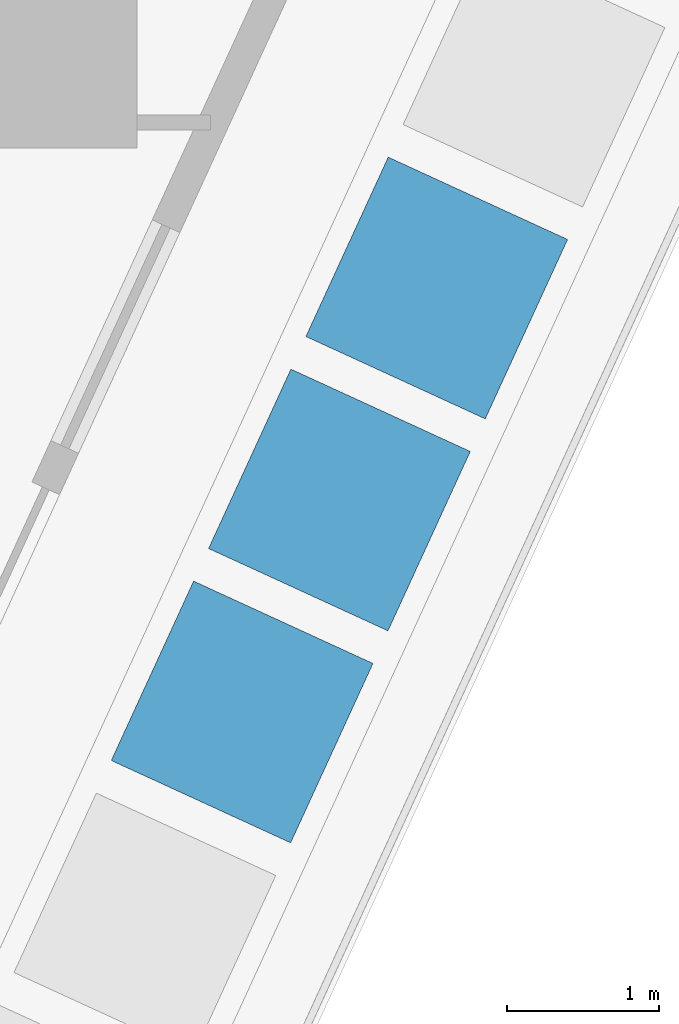
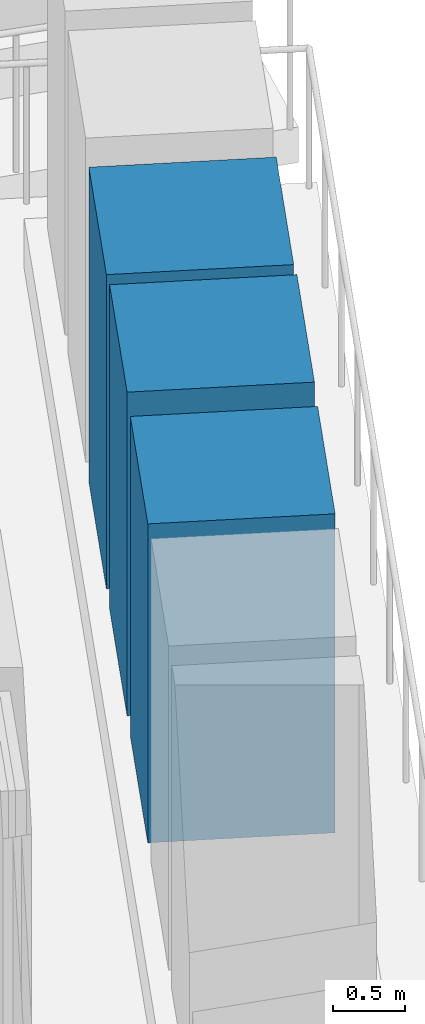
# One storey, part 5 of 26: 3 members.
"""IFC4 building model written with IfcOpenShell, lengths in metres."""

from ifc_helpers import new_model, si_unit, direction, frame, origin, origin_2d, place, context, subcontext, project, spatial, rectangle, extrude, material, material_profile, profile_set, type_object, element, save


model = new_model("IFC4")

# Units and contexts
model_context = context("Model", 3, precision=1e-05, world=origin(), true_north=direction((0.0, 1.0)))
body_context = subcontext(model_context, "Body", "Model", "MODEL_VIEW")
ifc_project = project(units=[si_unit("LENGTHUNIT", "METRE"), si_unit("AREAUNIT", "SQUARE_METRE"), si_unit("VOLUMEUNIT", "CUBIC_METRE"), si_unit("PLANEANGLEUNIT", "RADIAN"), si_unit("MASSUNIT", "GRAM", prefix="KILO")], contexts=[model_context])

# Site, building, storey
site_placement = place(None, origin())
site = spatial("IfcSite", under=ifc_project, at=site_placement, CompositionType="ELEMENT")
building_placement = place(site_placement, origin())
building = spatial("IfcBuilding", under=site, at=building_placement, Name="Dongbaek Canopy Tower", CompositionType="ELEMENT")
storey_placement = place(building_placement, frame((0.0, 0.0, 95.199951171875)))
storey = spatial("IfcBuildingStorey", under=building, at=storey_placement, Name="L19", CompositionType="ELEMENT", Elevation=95.199951171875)

# Members
ifc_material = material(Name="Concrete C40/50 planter mass with planting", Category="concrete")
ifc_material_profile = material_profile(ifc_material, rectangle(XDim=1.300048828125, YDim=1.300048828125, at=origin_2d()), Name="Terrace PLANTER shrub mass 1300 x 1300")
ifc_profile_set = profile_set([ifc_material_profile], Name="Concrete C40/50 planter mass with planting")
member_type = type_object("IfcMemberType", Name="Terrace PLANTER shrub mass 1300 x 1300", PredefinedType="USERDEFINED", material=ifc_profile_set)
member_1_placement = place(storey_placement, frame((28.7783203125, -4.52880859375, 0.420166015625), z_axis=(0.0, 0.0, 1.0), x_axis=(0.908848678728, -0.417125975185, 0.0)))
element("IfcMember", 1, at=member_1_placement, inside=storey, type_object=member_type, Name="Planter shrubs L19 5.9", ObjectType="PLANTER", PredefinedType="USERDEFINED", context=body_context, shape_type="SweptSolid", body=[
    extrude(rectangle(XDim=1.300048828125, YDim=1.300048828125, at=origin_2d()), origin(), (0.0, 0.0, 1.0), 2.68994140625),
])
member_2_placement = place(storey_placement, frame((29.419189453125, -3.132568359375, 0.420166015625), z_axis=(0.0, 0.0, 1.0), x_axis=(0.908848678728, -0.417125975185, 0.0)))
element("IfcMember", 2, at=member_2_placement, inside=storey, type_object=member_type, Name="Planter shrubs L19 5.10", ObjectType="PLANTER", PredefinedType="USERDEFINED", context=body_context, shape_type="SweptSolid", body=[
    extrude(rectangle(XDim=1.300048828125, YDim=1.300048828125, at=origin_2d()), origin(), (0.0, 0.0, 1.0), 2.72998046875),
])
member_3_placement = place(storey_placement, frame((30.06005859375, -1.736328125, 0.420166015625), z_axis=(0.0, 0.0, 1.0), x_axis=(0.908848678728, -0.417125975185, 0.0)))
element("IfcMember", 3, at=member_3_placement, inside=storey, type_object=member_type, Name="Planter shrubs L19 5.11", ObjectType="PLANTER", PredefinedType="USERDEFINED", context=body_context, shape_type="SweptSolid", body=[
    extrude(rectangle(XDim=1.300048828125, YDim=1.300048828125, at=origin_2d()), origin(), (0.0, 0.0, 1.0), 2.64990234375),
])

save(model, "model.ifc")
